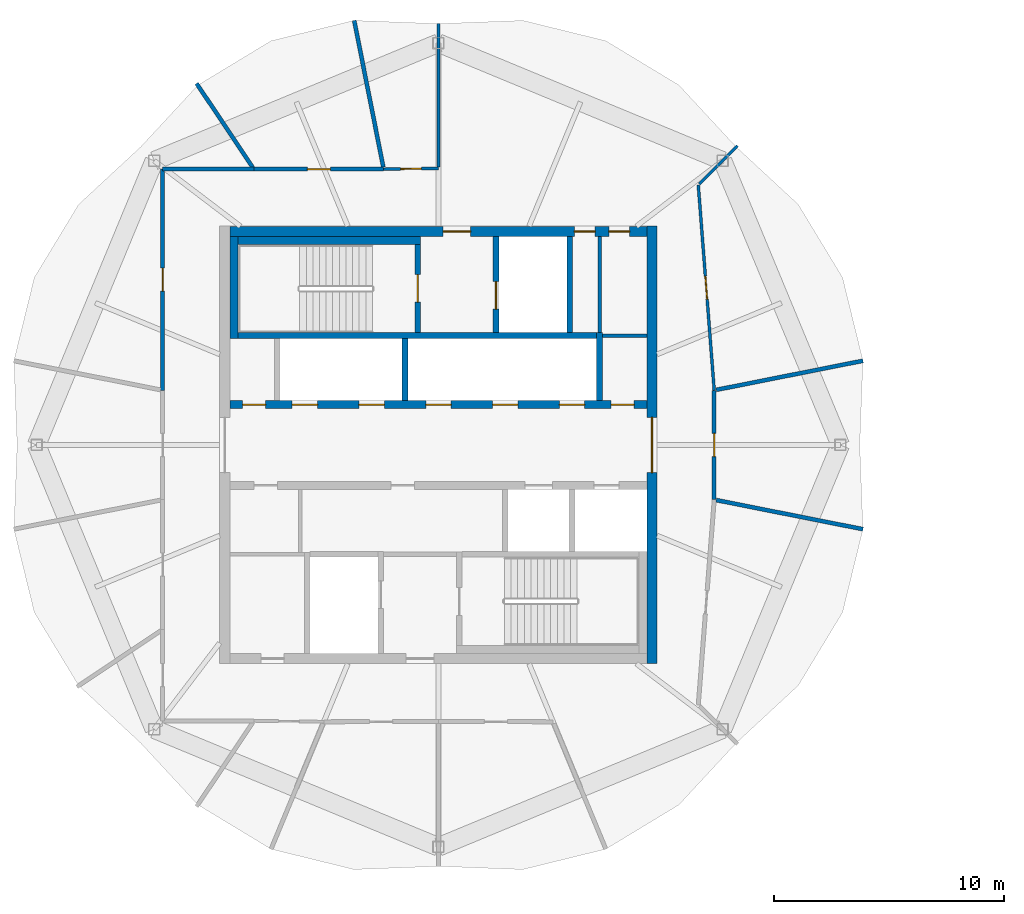
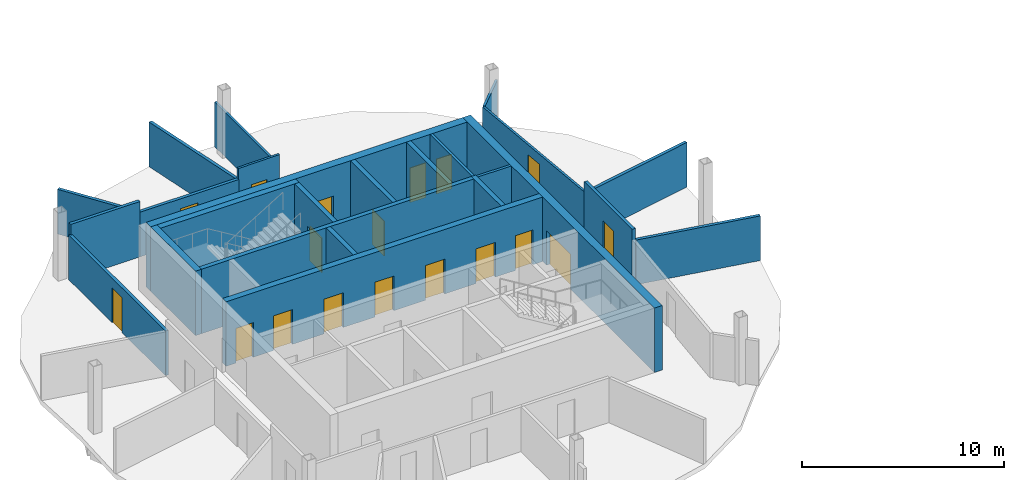
# One storey, part 6 of 11: 25 walls, 18 doors, 18 openings.
"""IFC4 building model written with IfcOpenShell, lengths in metres."""

import ifcopenshell
import ifcopenshell.guid

model = None  # the IFC model being written
_history = None  # IfcOwnerHistory: only IFC2X3 demands one
_inside = {}  # id of a spatial element -> (the spatial element, [elements in it])
_under = {}  # id of a project, library or spatial element -> (it, [spatial elements below it])
_declared = {}  # id of a project -> (the project, [libraries it declares])
_typed = {}  # id of a type object -> (the type object, [elements of that type])
_made_of = {}  # id of a material, layer set ... -> (it, [elements and type objects made of it])


def new_model(schema):
    """Start an empty IFC model of exactly this schema.

    Asked for "IFC4X3", IfcOpenShell would pick the latest addendum, in which some entities
    have other attributes; the version numbers below select the first issue.
    IFC2X3 requires an IfcOwnerHistory on every rooted entity: one is made here for all.
    """
    global model, _history
    if schema == "IFC4X3":
        model = ifcopenshell.file(schema_version=(4, 3, 0, 0))
    else:
        model = ifcopenshell.file(schema=schema)
    _inside.clear()
    _under.clear()
    _declared.clear()
    _typed.clear()
    _made_of.clear()
    _history = None
    if model.schema == "IFC2X3":
        org = make("IfcOrganization", Name="unknown")
        user = make(
            "IfcPersonAndOrganization",
            ThePerson=make("IfcPerson", FamilyName="unknown"),
            TheOrganization=org,
        )
        app = make(
            "IfcApplication",
            ApplicationDeveloper=org,
            Version="unknown",
            ApplicationFullName="unknown",
            ApplicationIdentifier="unknown",
        )
        _history = make(
            "IfcOwnerHistory",
            OwningUser=user,
            OwningApplication=app,
            ChangeAction="ADDED",
            CreationDate=0,
        )
    return model


def make(cls, **values):
    """One entity of the class cls with the attributes given. An attribute that is None is left unset."""
    return model.create_entity(
        cls, **{name: value for name, value in values.items() if value is not None}
    )


def rooted(cls, **values):
    """An entity with a GlobalId (a new one), such as an element, a storey or a relation."""
    return make(cls, GlobalId=ifcopenshell.guid.new(), OwnerHistory=_history, **values)


def si_unit(unit_type, name, prefix=None):
    """IfcSIUnit, for example si_unit("LENGTHUNIT", "METRE", prefix="MILLI")."""
    return make("IfcSIUnit", UnitType=unit_type, Prefix=prefix, Name=name)


def assignment(units):
    """IfcUnitAssignment: the units of a project."""
    return None if units is None else make("IfcUnitAssignment", Units=units)


def point(xyz):
    """IfcCartesianPoint."""
    return None if xyz is None else make("IfcCartesianPoint", Coordinates=xyz)


def direction(xyz):
    """IfcDirection."""
    return None if xyz is None else make("IfcDirection", DirectionRatios=xyz)


def frame(location, z_axis=None, x_axis=None):
    """IfcAxis2Placement3D, a coordinate frame: its origin and axes. An axis left out is left unset."""
    return make(
        "IfcAxis2Placement3D",
        Location=point(location),
        Axis=direction(z_axis),
        RefDirection=direction(x_axis),
    )


def frame_2d(location, x_axis=None):
    """IfcAxis2Placement2D, a coordinate frame in the plane: its origin and x axis."""
    return make(
        "IfcAxis2Placement2D", Location=point(location), RefDirection=direction(x_axis)
    )


def origin():
    """The frame at (0, 0, 0) with its axes left unset."""
    return frame((0.0, 0.0, 0.0))


def place(relative_to, where):
    """IfcLocalPlacement: puts the frame where relative to a parent placement (None: the world)."""
    return make(
        "IfcLocalPlacement", PlacementRelTo=relative_to, RelativePlacement=where
    )


def context(
    kind, dimensions, precision=None, world=None, true_north=None, identifier=None
):
    """IfcGeometricRepresentationContext, for example the 3D "Model" context."""
    return make(
        "IfcGeometricRepresentationContext",
        ContextIdentifier=identifier,
        ContextType=kind,
        CoordinateSpaceDimension=dimensions,
        Precision=precision,
        WorldCoordinateSystem=world,
        TrueNorth=true_north,
    )


def subcontext(parent, identifier, kind, view, scale=None):
    """IfcGeometricRepresentationSubContext, for example "Body" below "Model"."""
    return make(
        "IfcGeometricRepresentationSubContext",
        ContextIdentifier=identifier,
        ContextType=kind,
        ParentContext=parent,
        TargetScale=scale,
        TargetView=view,
    )


def project(units=None, contexts=None):
    """IfcProject with its units and contexts."""
    return rooted(
        "IfcProject",
        Name="project",
        RepresentationContexts=contexts,
        UnitsInContext=assignment(units),
    )


def spatial(cls, under=None, at=None, **own):
    """A site, building, storey or space (cls), placed at a placement, below another one or the project."""
    s = rooted(cls, ObjectPlacement=at, **own)
    if under is not None:
        _under.setdefault(under.id(), (under, []))[1].append(s)
    return s


def profile(cls, at=None, kind="AREA", **sizes):
    """A parametric profile (cls). Its sizes go by their IFC names, for example OverallWidth=200.0."""
    return make(cls, ProfileType=kind, Position=at, **sizes)


def rectangle(**sizes):
    """IfcRectangleProfileDef."""
    return profile("IfcRectangleProfileDef", **sizes)


def extrude(swept, where, along, depth):
    """IfcExtrudedAreaSolid: the profile swept, set in the frame where, extruded along a direction by depth."""
    return make(
        "IfcExtrudedAreaSolid",
        SweptArea=swept,
        Position=where,
        ExtrudedDirection=direction(along),
        Depth=depth,
    )


def shape(context_of_items, identifier, shape_type, items):
    """IfcShapeRepresentation: the items that make up one representation, for example the "Body"."""
    return make(
        "IfcShapeRepresentation",
        ContextOfItems=context_of_items,
        RepresentationIdentifier=identifier,
        RepresentationType=shape_type,
        Items=items,
    )


def material(Name=None, Category=None):
    """IfcMaterial."""
    return make("IfcMaterial", Name=Name, Category=Category)


def layer(
    of_material, thickness, ventilated=None, Name=None, Category=None, Priority=None
):
    """IfcMaterialLayer: one layer of a wall or slab, of a material (None: an air gap)."""
    return make(
        "IfcMaterialLayer",
        Material=of_material,
        LayerThickness=thickness,
        IsVentilated=ventilated,
        Name=Name,
        Category=Category,
        Priority=Priority,
    )


def layer_set(layers, Name=None):
    """IfcMaterialLayerSet."""
    return make("IfcMaterialLayerSet", MaterialLayers=layers, LayerSetName=Name)


def made_of(thing, what):
    """Note that an element or type object is made of a material, layer set ...; save() writes the relation."""
    if what is not None:
        _made_of.setdefault(what.id(), (what, []))[1].append(thing)
    return thing


def type_object(cls, material=None, **own):
    """A type object (cls), such as IfcWallType, which elements share."""
    return made_of(rooted(cls, **own), material)


def element(
    cls,
    number,
    at=None,
    inside=None,
    cuts=None,
    type_object=None,
    material=None,
    context=None,
    identifier="Body",
    shape_type=None,
    held_by="IfcProductDefinitionShape",
    body=None,
    shapes=None,
    **own,
):
    """One element of the class cls, such as IfcWall. Its Tag is "e" and its number.

    at: its placement. inside: the storey or other place that contains it. cuts: it is an
    opening in that element (IfcRelVoidsElement). A single representation is given by context,
    identifier, shape_type and body (its items); several are given by shapes. held_by: the class
    of the entity that holds the representations. save() writes the other relations.
    """
    e = rooted(cls, Tag="e%d" % number, ObjectPlacement=at, **own)
    if body is not None:
        shapes = [shape(context, identifier, shape_type, body)]
    if shapes is not None:
        e.Representation = make(held_by, Representations=shapes)
    if inside is not None:
        _inside.setdefault(inside.id(), (inside, []))[1].append(e)
    if cuts is not None:
        rooted(
            "IfcRelVoidsElement", RelatingBuildingElement=cuts, RelatedOpeningElement=e
        )
    if type_object is not None:
        _typed.setdefault(type_object.id(), (type_object, []))[1].append(e)
    return made_of(e, material)


def fill(opening, filler):
    """IfcRelFillsElement: the door or window that sits in an opening."""
    return rooted(
        "IfcRelFillsElement",
        RelatingOpeningElement=opening,
        RelatedBuildingElement=filler,
    )


def aggregate(whole, parts):
    """IfcRelAggregates: a whole, such as a stair, and the parts it consists of."""
    return rooted("IfcRelAggregates", RelatingObject=whole, RelatedObjects=parts)


def save(model, path):
    """Write the relations noted so far, then the file.

    IfcRelAggregates (storeys below a building ...), IfcRelContainedInSpatialStructure (elements
    in a storey), IfcRelDefinesByType, IfcRelAssociatesMaterial and IfcRelDeclares: one each for
    every whole, place, type object, material and project.
    """
    for whole, parts in _under.values():
        aggregate(whole, parts)
    for where, things in _inside.values():
        rooted(
            "IfcRelContainedInSpatialStructure",
            RelatedElements=things,
            RelatingStructure=where,
        )
    for kind, things in _typed.values():
        rooted("IfcRelDefinesByType", RelatedObjects=things, RelatingType=kind)
    for what, things in _made_of.values():
        rooted("IfcRelAssociatesMaterial", RelatedObjects=things, RelatingMaterial=what)
    for by, libraries in _declared.values():
        rooted("IfcRelDeclares", RelatingContext=by, RelatedDefinitions=libraries)
    model.write(path)


model = new_model("IFC4")

# Units and contexts
model_context = context("Model", 3, precision=1e-05, world=origin(), true_north=direction((0.0, 1.0)))
body_context = subcontext(model_context, "Body", "Model", "MODEL_VIEW")
ifc_project = project(units=[si_unit("LENGTHUNIT", "METRE"), si_unit("AREAUNIT", "SQUARE_METRE"), si_unit("VOLUMEUNIT", "CUBIC_METRE"), si_unit("PLANEANGLEUNIT", "RADIAN"), si_unit("MASSUNIT", "GRAM", prefix="KILO")], contexts=[model_context])

# Site, building, storey
site_placement = place(None, origin())
site = spatial("IfcSite", under=ifc_project, at=site_placement, CompositionType="ELEMENT")
building_placement = place(site_placement, origin())
building = spatial("IfcBuilding", under=site, at=building_placement, Name="Ogive Gate Towers", CompositionType="ELEMENT")
storey_placement = place(building_placement, frame((0.0, 0.0, 289.800048828125)))
storey = spatial("IfcBuildingStorey", under=building, at=storey_placement, Name="L68", CompositionType="ELEMENT", Elevation=289.800048828125)

# Walls
ifc_material_1 = material(Name="Gypsum board acoustic partition")
ifc_layer_1 = layer(ifc_material_1, 0.175048828125)
ifc_layer_set_1 = layer_set([ifc_layer_1], Name="Acoustic partition 175")
wall_type_1 = type_object("IfcWallType", Name="Acoustic partition 175", PredefinedType="PARTITIONING", material=ifc_layer_set_1)
for number, where, z_axis, x_axis, name in (
    (1, (-17.559814453125, 3.658203125, 0.0), (0.0, 0.0, 1.0), (-0.980884237162, -0.1945921717, 0.0), "Partition T1-L68-001"),
    (2, (-39.658203125, 18.440185546875, 0.0), (0.0, 0.0, 1.0), (0.1945921717, -0.980884237162, 0.0), "Partition T1-L68-004"),
):
    element("IfcWall", number, at=place(storey_placement, frame(where, z_axis=z_axis, x_axis=x_axis)), inside=storey, type_object=wall_type_1, Name=name, PredefinedType="PARTITIONING", context=body_context, shape_type="SweptSolid", body=[
        extrude(rectangle(XDim=6.50146484375, YDim=0.175048828125, at=frame_2d((3.250732421875, 0.0))), origin(), (0.0, 0.0, 1.0), 2.699951171875),
    ])
wall_1_placement = place(storey_placement, frame((-46.502197265625, 15.700439453125, 0.0), z_axis=(0.0, 0.0, 1.0), x_axis=(0.555982573444, -0.831193947299, 0.0)))
element("IfcWall", 3, at=wall_1_placement, inside=storey, type_object=wall_type_1, Name="Partition T1-L68-005", PredefinedType="PARTITIONING", context=body_context, shape_type="SweptSolid", body=[
    extrude(rectangle(XDim=4.39111328125, YDim=0.175048828125, at=frame_2d((2.195556640625, 0.0))), origin(), (0.0, 0.0, 1.0), 2.699951171875),
])
wall_2_placement = place(storey_placement, frame((-17.559814453125, -3.658203125, 0.0), z_axis=(0.0, 0.0, 1.0), x_axis=(-0.980884237162, 0.1945921717, 0.0)))
element("IfcWall", 4, at=wall_2_placement, inside=storey, type_object=wall_type_1, Name="Partition T1-L68-014", PredefinedType="PARTITIONING", context=body_context, shape_type="SweptSolid", body=[
    extrude(rectangle(XDim=6.50146484375, YDim=0.175048828125, at=frame_2d((3.250732421875, 0.0))), origin(), (0.0, 0.0, 1.0), 2.699951171875),
])

# Wall, opening, door
wall_3_placement = place(storey_placement, frame((-24.02294921875, -2.376220703125, 0.0), z_axis=(0.0, 0.0, 1.0), x_axis=(0.0, 1.0, 0.0)))
wall_3 = element("IfcWall", 5, at=wall_3_placement, inside=storey, type_object=wall_type_1, Name="Partition T1-L68-019", PredefinedType="PARTITIONING", context=body_context, shape_type="SweptSolid", body=[
    extrude(rectangle(XDim=4.75244140625, YDim=0.175048828125, at=frame_2d((2.376220703125, 0.0))), origin(), (0.0, 0.0, 1.0), 3.349853515625),
])
opening_1_placement = place(wall_3_placement, frame((1.8759765625, 0.0, 0.0)))
opening_1 = element("IfcOpeningElement", 6, at=opening_1_placement, cuts=wall_3, Name="Opening T1-L68-D05", PredefinedType="OPENING", context=body_context, shape_type="SweptSolid", body=[
    extrude(rectangle(XDim=1.0, YDim=2.10009765625, at=frame_2d((0.5, 1.050048828125))), frame((0.0, 0.09765625, 0.0), z_axis=(0.0, -1.0, 0.0), x_axis=(1.0, 0.0, 0.0)), (0.0, 0.0, 1.0), 0.195068359375),
])
ifc_material_2 = material(Name="Timber door", Category="wood")
door_type_1 = type_object("IfcDoorType", Name="Door 1000", OperationType="NOTDEFINED", PredefinedType="DOOR", material=ifc_material_2)
door_1_placement = place(opening_1_placement, origin())
door_1 = element("IfcDoor", 7, at=door_1_placement, inside=storey, type_object=door_type_1, Name="Door T1-L68-D05", OperationType="SINGLE_SWING_LEFT", OverallHeight=2.10009765625, OverallWidth=1.0, PredefinedType="DOOR", context=body_context, shape_type="SweptSolid", body=[
    extrude(rectangle(XDim=1.0, YDim=2.10009765625, at=frame_2d((0.5, 1.050048828125))), frame((0.0, 0.02490234375, 0.0), z_axis=(0.0, -1.0, 0.0), x_axis=(1.0, 0.0, 0.0)), (0.0, 0.0, 1.0), 0.050048828125),
])
fill(opening_1, door_1)

wall_4_placement = place(storey_placement, frame((-38.376220703125, 11.97705078125, 0.0), z_axis=(0.0, 0.0, 1.0), x_axis=(-0.999999991556, 0.000129954515, 0.0)))
wall_4 = element("IfcWall", 8, at=wall_4_placement, inside=storey, type_object=wall_type_1, Name="Partition T1-L68-022", PredefinedType="PARTITIONING", context=body_context, shape_type="SweptSolid", body=[
    extrude(rectangle(XDim=5.635986328125, YDim=0.175048828125, at=frame_2d((2.81787109375, 0.0))), origin(), (0.0, 0.0, 1.0), 2.699951171875),
])
opening_2_placement = place(wall_4_placement, frame((2.318115234375, 0.0, 0.0)))
opening_2 = element("IfcOpeningElement", 9, at=opening_2_placement, cuts=wall_4, Name="Opening T1-L68-D08", PredefinedType="OPENING", context=body_context, shape_type="SweptSolid", body=[
    extrude(rectangle(XDim=1.0, YDim=2.10009765625, at=frame_2d((0.5, 1.050048828125))), frame((0.0, 0.09765625, 0.0), z_axis=(0.0, -1.0, 0.0), x_axis=(1.0, 0.0, 0.0)), (0.0, 0.0, 1.0), 0.195068359375),
])
door_2_placement = place(opening_2_placement, origin())
door_2 = element("IfcDoor", 10, at=door_2_placement, inside=storey, type_object=door_type_1, Name="Door T1-L68-D08", OperationType="SINGLE_SWING_RIGHT", OverallHeight=2.10009765625, OverallWidth=1.0, PredefinedType="DOOR", context=body_context, shape_type="SweptSolid", body=[
    extrude(rectangle(XDim=1.0, YDim=2.10009765625, at=frame_2d((0.5, 1.050048828125))), frame((0.0, 0.02490234375, 0.0), z_axis=(0.0, -1.0, 0.0), x_axis=(1.0, 0.0, 0.0)), (0.0, 0.0, 1.0), 0.050048828125),
])
fill(opening_2, door_2)

wall_5_placement = place(storey_placement, frame((-47.97998046875, 11.97998046875, 0.0), z_axis=(0.0, 0.0, 1.0), x_axis=(0.000305056294, -0.99999995347, 0.0)))
wall_5 = element("IfcWall", 11, at=wall_5_placement, inside=storey, type_object=wall_type_1, Name="Partition T1-L68-023", PredefinedType="PARTITIONING", context=body_context, shape_type="SweptSolid", body=[
    extrude(rectangle(XDim=9.603759765625, YDim=0.175048828125, at=frame_2d((4.8017578125, 0.0))), origin(), (0.0, 0.0, 1.0), 2.699951171875),
])
opening_3_placement = place(wall_5_placement, frame((4.302001953125, 0.0, 0.0)))
opening_3 = element("IfcOpeningElement", 12, at=opening_3_placement, cuts=wall_5, Name="Opening T1-L68-D09", PredefinedType="OPENING", context=body_context, shape_type="SweptSolid", body=[
    extrude(rectangle(XDim=1.0, YDim=2.10009765625, at=frame_2d((0.5, 1.050048828125))), frame((0.0, 0.09765625, 0.0), z_axis=(0.0, -1.0, 0.0), x_axis=(1.0, 0.0, 0.0)), (0.0, 0.0, 1.0), 0.195068359375),
])
door_3_placement = place(opening_3_placement, origin())
door_3 = element("IfcDoor", 13, at=door_3_placement, inside=storey, type_object=door_type_1, Name="Door T1-L68-D09", OperationType="SINGLE_SWING_LEFT", OverallHeight=2.10009765625, OverallWidth=1.0, PredefinedType="DOOR", context=body_context, shape_type="SweptSolid", body=[
    extrude(rectangle(XDim=1.0, YDim=2.10009765625, at=frame_2d((0.5, 1.050048828125))), frame((0.0, 0.02490234375, 0.0), z_axis=(0.0, -1.0, 0.0), x_axis=(1.0, 0.0, 0.0)), (0.0, 0.0, 1.0), 0.050048828125),
])
fill(opening_3, door_3)

# Wall
wall_6_placement = place(storey_placement, frame((-44.01220703125, 11.977783203125, 0.0), z_axis=(0.0, 0.0, 1.0), x_axis=(-0.999999846665, 0.000553777912, 0.0)))
element("IfcWall", 14, at=wall_6_placement, inside=storey, type_object=wall_type_1, Name="Partition T1-L68-024", PredefinedType="PARTITIONING", context=body_context, shape_type="SweptSolid", body=[
    extrude(rectangle(XDim=3.9677734375, YDim=0.175048828125, at=frame_2d((1.98388671875, 0.0))), origin(), (0.0, 0.0, 1.0), 3.349853515625),
])

# Wall, openings, doors
ifc_material_3 = material(Name="Concrete C60/75", Category="concrete")
ifc_layer_2 = layer(ifc_material_3, 0.449951171875)
ifc_layer_set_2 = layer_set([ifc_layer_2], Name="Core wall 450 mm")
wall_type_2 = type_object("IfcWallType", Name="Core wall 450 mm", PredefinedType="SHEAR", material=ifc_layer_set_2)
wall_7_placement = place(storey_placement, frame((-45.050048828125, 9.27490234375, 0.0), z_axis=(0.0, 0.0, 1.0), x_axis=(1.0, 0.0, 0.0)))
wall_7 = element("IfcWall", 15, at=wall_7_placement, inside=storey, type_object=wall_type_2, Name="T1 L68 Core wall 450 mm", PredefinedType="SHEAR", context=body_context, shape_type="SweptSolid", body=[
    extrude(rectangle(XDim=18.10009765625, YDim=0.449951171875, at=frame_2d((9.050048828125, 0.0))), origin(), (0.0, 0.0, 1.0), 3.89990234375),
])
opening_4_placement = place(wall_7_placement, frame((9.25, 0.0, 0.0)))
opening_4 = element("IfcOpeningElement", 16, at=opening_4_placement, cuts=wall_7, Name="Opening KD-T1-L68-18", PredefinedType="OPENING", context=body_context, shape_type="SweptSolid", body=[
    extrude(rectangle(XDim=1.199951171875, YDim=2.10009765625, at=frame_2d((0.60009765625, 1.050048828125))), frame((0.0, 0.23486328125, 0.0), z_axis=(0.0, -1.0, 0.0), x_axis=(1.0, 0.0, 0.0)), (0.0, 0.0, 1.0), 0.469970703125),
])
opening_5_placement = place(wall_7_placement, frame((14.949951171875, 0.0, 0.0)))
opening_5 = element("IfcOpeningElement", 17, at=opening_5_placement, cuts=wall_7, Name="Opening KD-T1-L68-20", PredefinedType="OPENING", context=body_context, shape_type="SweptSolid", body=[
    extrude(rectangle(XDim=0.89990234375, YDim=2.10009765625, at=frame_2d((0.449951171875, 1.050048828125))), frame((0.0, 0.23486328125, 0.0), z_axis=(0.0, -1.0, 0.0), x_axis=(1.0, 0.0, 0.0)), (0.0, 0.0, 1.0), 0.469970703125),
])
opening_6_placement = place(wall_7_placement, frame((16.449951171875, 0.0, 0.0)))
opening_6 = element("IfcOpeningElement", 18, at=opening_6_placement, cuts=wall_7, Name="Opening KD-T1-L68-21", PredefinedType="OPENING", context=body_context, shape_type="SweptSolid", body=[
    extrude(rectangle(XDim=0.89990234375, YDim=2.10009765625, at=frame_2d((0.449951171875, 1.050048828125))), frame((0.0, 0.23486328125, 0.0), z_axis=(0.0, -1.0, 0.0), x_axis=(1.0, 0.0, 0.0)), (0.0, 0.0, 1.0), 0.469970703125),
])
door_type_2 = type_object("IfcDoorType", Name="Core WC door 900 x 2100", OperationType="NOTDEFINED", PredefinedType="DOOR", material=ifc_material_2)
door_4_placement = place(opening_5_placement, origin())
door_4 = element("IfcDoor", 19, at=door_4_placement, inside=storey, type_object=door_type_2, Name="T1 L68 Core door", OperationType="SINGLE_SWING_LEFT", OverallHeight=2.10009765625, OverallWidth=0.89990234375, PredefinedType="DOOR", context=body_context, shape_type="SweptSolid", body=[
    extrude(rectangle(XDim=0.89990234375, YDim=2.10009765625, at=frame_2d((0.449951171875, 1.050048828125))), frame((0.0, 0.02490234375, 0.0), z_axis=(0.0, -1.0, 0.0), x_axis=(1.0, 0.0, 0.0)), (0.0, 0.0, 1.0), 0.050048828125),
])
fill(opening_5, door_4)
door_5_placement = place(opening_6_placement, origin())
door_5 = element("IfcDoor", 20, at=door_5_placement, inside=storey, type_object=door_type_2, Name="T1 L68 Core door", OperationType="SINGLE_SWING_RIGHT", OverallHeight=2.10009765625, OverallWidth=0.89990234375, PredefinedType="DOOR", context=body_context, shape_type="SweptSolid", body=[
    extrude(rectangle(XDim=0.89990234375, YDim=2.10009765625, at=frame_2d((0.449951171875, 1.050048828125))), frame((0.0, 0.02490234375, 0.0), z_axis=(0.0, -1.0, 0.0), x_axis=(1.0, 0.0, 0.0)), (0.0, 0.0, 1.0), 0.050048828125),
])
fill(opening_6, door_5)
ifc_material_4 = material(Name="Steel fire door", Category="steel")
door_type_3 = type_object("IfcDoorType", Name="Core door FD60S 1200 x 2100", OperationType="NOTDEFINED", PredefinedType="DOOR", material=ifc_material_4)
door_6_placement = place(opening_4_placement, origin())
door_6 = element("IfcDoor", 21, at=door_6_placement, inside=storey, type_object=door_type_3, Name="T1 L68 Fire-fighting lobby door", OperationType="SINGLE_SWING_LEFT", OverallHeight=2.10009765625, OverallWidth=1.199951171875, PredefinedType="DOOR", context=body_context, shape_type="SweptSolid", body=[
    extrude(rectangle(XDim=1.199951171875, YDim=2.10009765625, at=frame_2d((0.60009765625, 1.050048828125))), frame((0.0, 0.02490234375, 0.0), z_axis=(0.0, -1.0, 0.0), x_axis=(1.0, 0.0, 0.0)), (0.0, 0.0, 1.0), 0.050048828125),
])
fill(opening_4, door_6)

# Wall, opening, door
wall_8_placement = place(storey_placement, frame((-26.72509765625, -9.5, 0.0), z_axis=(0.0, 0.0, 1.0), x_axis=(0.0, 1.0, 0.0)))
wall_8 = element("IfcWall", 22, at=wall_8_placement, inside=storey, type_object=wall_type_2, Name="T1 L68 Core wall 450 mm", PredefinedType="SHEAR", context=body_context, shape_type="SweptSolid", body=[
    extrude(rectangle(XDim=19.0, YDim=0.449951171875, at=frame_2d((9.5, 0.0))), origin(), (0.0, 0.0, 1.0), 3.89990234375),
])
opening_7_placement = place(wall_8_placement, frame((8.300048828125, 0.0, 0.0)))
opening_7 = element("IfcOpeningElement", 23, at=opening_7_placement, cuts=wall_8, Name="Opening KD-T1-L68-02", PredefinedType="OPENING", context=body_context, shape_type="SweptSolid", body=[
    extrude(rectangle(XDim=2.39990234375, YDim=2.10009765625, at=frame_2d((1.199951171875, 1.050048828125))), frame((0.0, 0.23486328125, 0.0), z_axis=(0.0, -1.0, 0.0), x_axis=(1.0, 0.0, 0.0)), (0.0, 0.0, 1.0), 0.469970703125),
])
door_type_4 = type_object("IfcDoorType", Name="Core double door FD60S 2400 x 2100", OperationType="DOUBLE_DOOR_SINGLE_SWING", PredefinedType="DOOR", material=ifc_material_4)
door_7_placement = place(opening_7_placement, origin())
door_7 = element("IfcDoor", 24, at=door_7_placement, inside=storey, type_object=door_type_4, Name="T1 L68 Core door double", OperationType="DOUBLE_DOOR_SINGLE_SWING", OverallHeight=2.10009765625, OverallWidth=2.39990234375, PredefinedType="DOOR", context=body_context, shape_type="SweptSolid", body=[
    extrude(rectangle(XDim=2.39990234375, YDim=2.10009765625, at=frame_2d((1.199951171875, 1.050048828125))), frame((0.0, 0.02490234375, 0.0), z_axis=(0.0, -1.0, 0.0), x_axis=(1.0, 0.0, 0.0)), (0.0, 0.0, 1.0), 0.050048828125),
])
fill(opening_7, door_7)

# Walls
ifc_material_5 = material(Name="Gypsum board partition")
ifc_layer_3 = layer(ifc_material_5, 0.125)
ifc_layer_set_3 = layer_set([ifc_layer_3], Name="Partition 125")
wall_type_3 = type_object("IfcWallType", Name="Partition 125", PredefinedType="PARTITIONING", material=ifc_layer_set_3)
wall_9_placement = place(storey_placement, frame((-23.005126953125, 12.994873046875, 0.0), z_axis=(0.0, 0.0, 1.0), x_axis=(-0.707106781187, -0.707106781187, 0.0)))
element("IfcWall", 25, at=wall_9_placement, inside=storey, type_object=wall_type_3, Name="Partition T1-L68-002", PredefinedType="PARTITIONING", context=body_context, shape_type="SweptSolid", body=[
    extrude(rectangle(XDim=2.35498046875, YDim=0.125, at=frame_2d((1.177490234375, 0.0))), origin(), (0.0, 0.0, 1.0), 2.699951171875),
])
wall_10_placement = place(storey_placement, frame((-36.0, 18.299072265625, 0.0), z_axis=(0.0, 0.0, 1.0), x_axis=(0.0, -1.0, 0.0)))
element("IfcWall", 26, at=wall_10_placement, inside=storey, type_object=wall_type_3, Name="Partition T1-L68-003", PredefinedType="PARTITIONING", context=body_context, shape_type="SweptSolid", body=[
    extrude(rectangle(XDim=6.2265625, YDim=0.125, at=frame_2d((3.11328125, 0.0))), origin(), (0.0, 0.0, 1.0), 2.699951171875),
])

# Wall, opening, door
wall_11_placement = place(storey_placement, frame((-24.02294921875, 2.376220703125, 0.0), z_axis=(0.0, 0.0, 1.0), x_axis=(-0.077400559518, 0.997000076924, 0.0)))
wall_11 = element("IfcWall", 27, at=wall_11_placement, inside=storey, type_object=wall_type_3, Name="Partition T1-L68-020", PredefinedType="PARTITIONING", context=body_context, shape_type="SweptSolid", body=[
    extrude(rectangle(XDim=8.93603515625, YDim=0.125, at=frame_2d((4.468017578125, 0.0))), origin(), (0.0, 0.0, 1.0), 2.699951171875),
])
opening_8_placement = place(wall_11_placement, frame((3.968017578125, 0.0, 0.0)))
opening_8 = element("IfcOpeningElement", 28, at=opening_8_placement, cuts=wall_11, Name="Opening T1-L68-D06", PredefinedType="OPENING", context=body_context, shape_type="SweptSolid", body=[
    extrude(rectangle(XDim=1.0, YDim=2.10009765625, at=frame_2d((0.5, 1.050048828125))), frame((0.0, 0.072509765625, 0.0), z_axis=(0.0, -1.0, 0.0), x_axis=(1.0, 0.0, 0.0)), (0.0, 0.0, 1.0), 0.14501953125),
])
door_8_placement = place(opening_8_placement, origin())
door_8 = element("IfcDoor", 29, at=door_8_placement, inside=storey, type_object=door_type_1, Name="Door T1-L68-D06", OperationType="SINGLE_SWING_LEFT", OverallHeight=2.10009765625, OverallWidth=1.0, PredefinedType="DOOR", context=body_context, shape_type="SweptSolid", body=[
    extrude(rectangle(XDim=1.0, YDim=2.10009765625, at=frame_2d((0.5, 1.050048828125))), frame((0.0, 0.02490234375, 0.0), z_axis=(0.0, -1.0, 0.0), x_axis=(1.0, 0.0, 0.0)), (0.0, 0.0, 1.0), 0.050048828125),
])
fill(opening_8, door_8)

wall_12_placement = place(storey_placement, frame((-36.0, 12.010009765625, 0.0), z_axis=(0.0, 0.0, 1.0), x_axis=(-0.999903820739, -0.013869003986, 0.0)))
wall_12 = element("IfcWall", 30, at=wall_12_placement, inside=storey, type_object=wall_type_3, Name="Partition T1-L68-021", PredefinedType="PARTITIONING", context=body_context, shape_type="SweptSolid", body=[
    extrude(rectangle(XDim=2.37646484375, YDim=0.125, at=frame_2d((1.188232421875, 0.0))), origin(), (0.0, 0.0, 1.0), 3.349853515625),
])
opening_9_placement = place(wall_12_placement, frame((0.738037109375, 0.0, 0.0)))
opening_9 = element("IfcOpeningElement", 31, at=opening_9_placement, cuts=wall_12, Name="Opening T1-L68-D07", PredefinedType="OPENING", context=body_context, shape_type="SweptSolid", body=[
    extrude(rectangle(XDim=0.89990234375, YDim=2.10009765625, at=frame_2d((0.449951171875, 1.050048828125))), frame((0.0, 0.072509765625, 0.0), z_axis=(0.0, -1.0, 0.0), x_axis=(1.0, 0.0, 0.0)), (0.0, 0.0, 1.0), 0.14501953125),
])
door_type_5 = type_object("IfcDoorType", Name="Door 900", OperationType="NOTDEFINED", PredefinedType="DOOR", material=ifc_material_2)
door_9_placement = place(opening_9_placement, origin())
door_9 = element("IfcDoor", 32, at=door_9_placement, inside=storey, type_object=door_type_5, Name="Door T1-L68-D07", OperationType="SINGLE_SWING_RIGHT", OverallHeight=2.10009765625, OverallWidth=0.89990234375, PredefinedType="DOOR", context=body_context, shape_type="SweptSolid", body=[
    extrude(rectangle(XDim=0.89990234375, YDim=2.10009765625, at=frame_2d((0.449951171875, 1.050048828125))), frame((0.0, 0.02490234375, 0.0), z_axis=(0.0, -1.0, 0.0), x_axis=(1.0, 0.0, 0.0)), (0.0, 0.0, 1.0), 0.050048828125),
])
fill(opening_9, door_9)

# Walls
ifc_layer_4 = layer(ifc_material_5, 0.14990234375)
ifc_layer_set_4 = layer_set([ifc_layer_4], Name="Room partition 150 mm")
wall_type_4 = type_object("IfcWallType", Name="Room partition 150 mm", PredefinedType="PARTITIONING", material=ifc_layer_set_4)
wall_13_placement = place(storey_placement, frame((-28.875, 4.75, 0.0), z_axis=(0.0, 0.0, 1.0), x_axis=(1.0, 0.0, 0.0)))
element("IfcWall", 33, at=wall_13_placement, inside=storey, type_object=wall_type_4, Name="T1 L68 Room partition 150 mm", PredefinedType="PARTITIONING", context=body_context, shape_type="SweptSolid", body=[
    extrude(rectangle(XDim=1.925048828125, YDim=0.14990234375, at=frame_2d((0.96240234375, 0.0))), origin(), (0.0, 0.0, 1.0), 3.89990234375),
])
wall_14_placement = place(storey_placement, frame((-29.0, 4.875, 0.0), z_axis=(0.0, 0.0, 1.0), x_axis=(0.0, 1.0, 0.0)))
element("IfcWall", 34, at=wall_14_placement, inside=storey, type_object=wall_type_4, Name="T1 L68 Room partition 150 mm", PredefinedType="PARTITIONING", context=body_context, shape_type="SweptSolid", body=[
    extrude(rectangle(XDim=4.175048828125, YDim=0.14990234375, at=frame_2d((2.08740234375, 0.0))), origin(), (0.0, 0.0, 1.0), 3.89990234375),
])
ifc_layer_5 = layer(ifc_material_3, 0.25)
ifc_layer_set_5 = layer_set([ifc_layer_5], Name="Shaft wall 250 mm")
wall_type_5 = type_object("IfcWallType", Name="Shaft wall 250 mm", PredefinedType="SHEAR", material=ifc_layer_set_5)
wall_15_placement = place(storey_placement, frame((-44.699951171875, 4.75, 0.0), z_axis=(0.0, 0.0, 1.0), x_axis=(1.0, 0.0, 0.0)))
element("IfcWall", 35, at=wall_15_placement, inside=storey, type_object=wall_type_5, Name="T1 L68 Shaft wall 250 mm", PredefinedType="SHEAR", context=body_context, shape_type="SweptSolid", body=[
    extrude(rectangle(XDim=15.574951171875, YDim=0.25, at=frame_2d((7.78759765625, 0.0))), origin(), (0.0, 0.0, 1.0), 3.89990234375),
])
wall_16_placement = place(storey_placement, frame((-37.449951171875, 1.925048828125, 0.0), z_axis=(0.0, 0.0, 1.0), x_axis=(0.0, 1.0, 0.0)))
element("IfcWall", 36, at=wall_16_placement, inside=storey, type_object=wall_type_5, Name="T1 L68 Shaft wall 250 mm", PredefinedType="SHEAR", context=body_context, shape_type="SweptSolid", body=[
    extrude(rectangle(XDim=2.699951171875, YDim=0.25, at=frame_2d((1.35009765625, 0.0))), origin(), (0.0, 0.0, 1.0), 3.89990234375),
])

# Wall, opening, door
wall_17_placement = place(storey_placement, frame((-36.89990234375, 4.875, 0.0), z_axis=(0.0, 0.0, 1.0), x_axis=(0.0, 1.0, 0.0)))
wall_17 = element("IfcWall", 37, at=wall_17_placement, inside=storey, type_object=wall_type_5, Name="T1 L68 Shaft wall 250 mm", PredefinedType="SHEAR", context=body_context, shape_type="SweptSolid", body=[
    extrude(rectangle(XDim=3.824951171875, YDim=0.25, at=frame_2d((1.91259765625, 0.0))), origin(), (0.0, 0.0, 1.0), 3.89990234375),
])
opening_10_placement = place(wall_17_placement, frame((1.324951171875, 0.0, 0.0)))
opening_10 = element("IfcOpeningElement", 38, at=opening_10_placement, cuts=wall_17, Name="Opening KD-T1-L68-16", PredefinedType="OPENING", context=body_context, shape_type="SweptSolid", body=[
    extrude(rectangle(XDim=1.199951171875, YDim=2.10009765625, at=frame_2d((0.60009765625, 1.050048828125))), frame((0.0, 0.135009765625, 0.0), z_axis=(0.0, -1.0, 0.0), x_axis=(1.0, 0.0, 0.0)), (0.0, 0.0, 1.0), 0.27001953125),
])
door_10_placement = place(opening_10_placement, origin())
door_10 = element("IfcDoor", 39, at=door_10_placement, inside=storey, type_object=door_type_3, Name="T1 L68 Stair door", OperationType="SINGLE_SWING_LEFT", OverallHeight=2.10009765625, OverallWidth=1.199951171875, PredefinedType="DOOR", context=body_context, shape_type="SweptSolid", body=[
    extrude(rectangle(XDim=1.199951171875, YDim=2.10009765625, at=frame_2d((0.60009765625, 1.050048828125))), frame((0.0, 0.02490234375, 0.0), z_axis=(0.0, -1.0, 0.0), x_axis=(1.0, 0.0, 0.0)), (0.0, 0.0, 1.0), 0.050048828125),
])
fill(opening_10, door_10)

wall_18_placement = place(storey_placement, frame((-33.5, 4.875, 0.0), z_axis=(0.0, 0.0, 1.0), x_axis=(0.0, 1.0, 0.0)))
wall_18 = element("IfcWall", 40, at=wall_18_placement, inside=storey, type_object=wall_type_5, Name="T1 L68 Shaft wall 250 mm", PredefinedType="SHEAR", context=body_context, shape_type="SweptSolid", body=[
    extrude(rectangle(XDim=4.175048828125, YDim=0.25, at=frame_2d((2.08740234375, 0.0))), origin(), (0.0, 0.0, 1.0), 3.89990234375),
])
opening_11_placement = place(wall_18_placement, frame((1.02490234375, 0.0, 0.0)))
opening_11 = element("IfcOpeningElement", 41, at=opening_11_placement, cuts=wall_18, Name="Opening LD-T1-L68-12", PredefinedType="OPENING", context=body_context, shape_type="SweptSolid", body=[
    extrude(rectangle(XDim=1.199951171875, YDim=2.10009765625, at=frame_2d((0.60009765625, 1.050048828125))), frame((0.0, 0.135009765625, 0.0), z_axis=(0.0, -1.0, 0.0), x_axis=(1.0, 0.0, 0.0)), (0.0, 0.0, 1.0), 0.27001953125),
])
ifc_material_6 = material(Name="Stainless steel landing door", Category="steel")
door_type_6 = type_object("IfcDoorType", Name="Landing door 1200 x 2100", OperationType="SLIDING_TO_LEFT", PredefinedType="DOOR", material=ifc_material_6)
door_11_placement = place(opening_11_placement, origin())
door_11 = element("IfcDoor", 42, at=door_11_placement, inside=storey, type_object=door_type_6, Name="T1 L68 Lift landing door FF1", OperationType="SLIDING_TO_LEFT", OverallHeight=2.10009765625, OverallWidth=1.199951171875, PredefinedType="DOOR", context=body_context, shape_type="SweptSolid", body=[
    extrude(rectangle(XDim=1.199951171875, YDim=2.10009765625, at=frame_2d((0.60009765625, 1.050048828125))), frame((0.0, 0.02490234375, 0.0), z_axis=(0.0, -1.0, 0.0), x_axis=(1.0, 0.0, 0.0)), (0.0, 0.0, 1.0), 0.050048828125),
])
fill(opening_11, door_11)

# Walls
wall_19_placement = place(storey_placement, frame((-30.300048828125, 4.875, 0.0), z_axis=(0.0, 0.0, 1.0), x_axis=(0.0, 1.0, 0.0)))
element("IfcWall", 43, at=wall_19_placement, inside=storey, type_object=wall_type_5, Name="T1 L68 Shaft wall 250 mm", PredefinedType="SHEAR", context=body_context, shape_type="SweptSolid", body=[
    extrude(rectangle(XDim=4.175048828125, YDim=0.25, at=frame_2d((2.08740234375, 0.0))), origin(), (0.0, 0.0, 1.0), 3.89990234375),
])
wall_20_placement = place(storey_placement, frame((-29.0, 1.925048828125, 0.0), z_axis=(0.0, 0.0, 1.0), x_axis=(0.0, 1.0, 0.0)))
element("IfcWall", 44, at=wall_20_placement, inside=storey, type_object=wall_type_5, Name="T1 L68 Shaft wall 250 mm", PredefinedType="SHEAR", context=body_context, shape_type="SweptSolid", body=[
    extrude(rectangle(XDim=2.949951171875, YDim=0.25, at=frame_2d((1.47509765625, 0.0))), origin(), (0.0, 0.0, 1.0), 3.89990234375),
])

# Wall, openings, doors
ifc_layer_6 = layer(ifc_material_3, 0.35009765625)
ifc_layer_set_6 = layer_set([ifc_layer_6], Name="Spine wall 350 mm")
wall_type_6 = type_object("IfcWallType", Name="Spine wall 350 mm", PredefinedType="SHEAR", material=ifc_layer_set_6)
wall_21_placement = place(storey_placement, frame((-45.050048828125, 1.75, 0.0), z_axis=(0.0, 0.0, 1.0), x_axis=(1.0, 0.0, 0.0)))
wall_21 = element("IfcWall", 45, at=wall_21_placement, inside=storey, type_object=wall_type_6, Name="T1 L68 Spine wall 350 mm", PredefinedType="SHEAR", context=body_context, shape_type="SweptSolid", body=[
    extrude(rectangle(XDim=18.10009765625, YDim=0.35009765625, at=frame_2d((9.050048828125, 0.0))), origin(), (0.0, 0.0, 1.0), 3.89990234375),
])
opening_12_placement = place(wall_21_placement, frame((0.550048828125, 0.0, 0.0)))
opening_12 = element("IfcOpeningElement", 46, at=opening_12_placement, cuts=wall_21, Name="Opening KD-T1-L68-03", PredefinedType="OPENING", context=body_context, shape_type="SweptSolid", body=[
    extrude(rectangle(XDim=1.0, YDim=2.10009765625, at=frame_2d((0.5, 1.050048828125))), frame((0.0, 0.18505859375, 0.0), z_axis=(0.0, -1.0, 0.0), x_axis=(1.0, 0.0, 0.0)), (0.0, 0.0, 1.0), 0.3701171875),
])
opening_13_placement = place(wall_21_placement, frame((2.699951171875, 0.0, 0.0)))
opening_13 = element("IfcOpeningElement", 47, at=opening_13_placement, cuts=wall_21, Name="Opening LD-T1-L68-04", PredefinedType="OPENING", context=body_context, shape_type="SweptSolid", body=[
    extrude(rectangle(XDim=1.10009765625, YDim=2.10009765625, at=frame_2d((0.550048828125, 1.050048828125))), frame((0.0, 0.18505859375, 0.0), z_axis=(0.0, -1.0, 0.0), x_axis=(1.0, 0.0, 0.0)), (0.0, 0.0, 1.0), 0.3701171875),
])
opening_14_placement = place(wall_21_placement, frame((5.60009765625, 0.0, 0.0)))
opening_14 = element("IfcOpeningElement", 48, at=opening_14_placement, cuts=wall_21, Name="Opening LD-T1-L68-05", PredefinedType="OPENING", context=body_context, shape_type="SweptSolid", body=[
    extrude(rectangle(XDim=1.10009765625, YDim=2.10009765625, at=frame_2d((0.550048828125, 1.050048828125))), frame((0.0, 0.18505859375, 0.0), z_axis=(0.0, -1.0, 0.0), x_axis=(1.0, 0.0, 0.0)), (0.0, 0.0, 1.0), 0.3701171875),
])
opening_15_placement = place(wall_21_placement, frame((8.5, 0.0, 0.0)))
opening_15 = element("IfcOpeningElement", 49, at=opening_15_placement, cuts=wall_21, Name="Opening LD-T1-L68-06", PredefinedType="OPENING", context=body_context, shape_type="SweptSolid", body=[
    extrude(rectangle(XDim=1.10009765625, YDim=2.10009765625, at=frame_2d((0.550048828125, 1.050048828125))), frame((0.0, 0.18505859375, 0.0), z_axis=(0.0, -1.0, 0.0), x_axis=(1.0, 0.0, 0.0)), (0.0, 0.0, 1.0), 0.3701171875),
])
opening_16_placement = place(wall_21_placement, frame((11.39990234375, 0.0, 0.0)))
opening_16 = element("IfcOpeningElement", 50, at=opening_16_placement, cuts=wall_21, Name="Opening LD-T1-L68-07", PredefinedType="OPENING", context=body_context, shape_type="SweptSolid", body=[
    extrude(rectangle(XDim=1.10009765625, YDim=2.10009765625, at=frame_2d((0.550048828125, 1.050048828125))), frame((0.0, 0.18505859375, 0.0), z_axis=(0.0, -1.0, 0.0), x_axis=(1.0, 0.0, 0.0)), (0.0, 0.0, 1.0), 0.3701171875),
])
opening_17_placement = place(wall_21_placement, frame((14.300048828125, 0.0, 0.0)))
opening_17 = element("IfcOpeningElement", 51, at=opening_17_placement, cuts=wall_21, Name="Opening LD-T1-L68-08", PredefinedType="OPENING", context=body_context, shape_type="SweptSolid", body=[
    extrude(rectangle(XDim=1.10009765625, YDim=2.10009765625, at=frame_2d((0.550048828125, 1.050048828125))), frame((0.0, 0.18505859375, 0.0), z_axis=(0.0, -1.0, 0.0), x_axis=(1.0, 0.0, 0.0)), (0.0, 0.0, 1.0), 0.3701171875),
])
opening_18_placement = place(wall_21_placement, frame((16.550048828125, 0.0, 0.0)))
opening_18 = element("IfcOpeningElement", 52, at=opening_18_placement, cuts=wall_21, Name="Opening KD-T1-L68-09", PredefinedType="OPENING", context=body_context, shape_type="SweptSolid", body=[
    extrude(rectangle(XDim=1.0, YDim=2.10009765625, at=frame_2d((0.5, 1.050048828125))), frame((0.0, 0.18505859375, 0.0), z_axis=(0.0, -1.0, 0.0), x_axis=(1.0, 0.0, 0.0)), (0.0, 0.0, 1.0), 0.3701171875),
])
door_type_7 = type_object("IfcDoorType", Name="Core door FD60S 1000 x 2100", OperationType="NOTDEFINED", PredefinedType="DOOR", material=ifc_material_4)
door_12_placement = place(opening_12_placement, origin())
door_12 = element("IfcDoor", 53, at=door_12_placement, inside=storey, type_object=door_type_7, Name="T1 L68 Core door", OperationType="SINGLE_SWING_RIGHT", OverallHeight=2.10009765625, OverallWidth=1.0, PredefinedType="DOOR", context=body_context, shape_type="SweptSolid", body=[
    extrude(rectangle(XDim=1.0, YDim=2.10009765625, at=frame_2d((0.5, 1.050048828125))), frame((0.0, 0.02490234375, 0.0), z_axis=(0.0, -1.0, 0.0), x_axis=(1.0, 0.0, 0.0)), (0.0, 0.0, 1.0), 0.050048828125),
])
fill(opening_12, door_12)
door_13_placement = place(opening_18_placement, origin())
door_13 = element("IfcDoor", 54, at=door_13_placement, inside=storey, type_object=door_type_7, Name="T1 L68 Core door", OperationType="SINGLE_SWING_RIGHT", OverallHeight=2.10009765625, OverallWidth=1.0, PredefinedType="DOOR", context=body_context, shape_type="SweptSolid", body=[
    extrude(rectangle(XDim=1.0, YDim=2.10009765625, at=frame_2d((0.5, 1.050048828125))), frame((0.0, 0.02490234375, 0.0), z_axis=(0.0, -1.0, 0.0), x_axis=(1.0, 0.0, 0.0)), (0.0, 0.0, 1.0), 0.050048828125),
])
fill(opening_18, door_13)
door_type_8 = type_object("IfcDoorType", Name="Landing door 1100 x 2100", OperationType="SLIDING_TO_LEFT", PredefinedType="DOOR", material=ifc_material_6)
door_14_placement = place(opening_13_placement, origin())
door_14 = element("IfcDoor", 55, at=door_14_placement, inside=storey, type_object=door_type_8, Name="T1 L68 Lift landing door B1", OperationType="SLIDING_TO_LEFT", OverallHeight=2.10009765625, OverallWidth=1.10009765625, PredefinedType="DOOR", context=body_context, shape_type="SweptSolid", body=[
    extrude(rectangle(XDim=1.10009765625, YDim=2.10009765625, at=frame_2d((0.550048828125, 1.050048828125))), frame((0.0, 0.02490234375, 0.0), z_axis=(0.0, -1.0, 0.0), x_axis=(1.0, 0.0, 0.0)), (0.0, 0.0, 1.0), 0.050048828125),
])
fill(opening_13, door_14)
door_15_placement = place(opening_14_placement, origin())
door_15 = element("IfcDoor", 56, at=door_15_placement, inside=storey, type_object=door_type_8, Name="T1 L68 Lift landing door B2", OperationType="SLIDING_TO_LEFT", OverallHeight=2.10009765625, OverallWidth=1.10009765625, PredefinedType="DOOR", context=body_context, shape_type="SweptSolid", body=[
    extrude(rectangle(XDim=1.10009765625, YDim=2.10009765625, at=frame_2d((0.550048828125, 1.050048828125))), frame((0.0, 0.02490234375, 0.0), z_axis=(0.0, -1.0, 0.0), x_axis=(1.0, 0.0, 0.0)), (0.0, 0.0, 1.0), 0.050048828125),
])
fill(opening_14, door_15)
door_16_placement = place(opening_15_placement, origin())
door_16 = element("IfcDoor", 57, at=door_16_placement, inside=storey, type_object=door_type_8, Name="T1 L68 Lift landing door B3", OperationType="SLIDING_TO_LEFT", OverallHeight=2.10009765625, OverallWidth=1.10009765625, PredefinedType="DOOR", context=body_context, shape_type="SweptSolid", body=[
    extrude(rectangle(XDim=1.10009765625, YDim=2.10009765625, at=frame_2d((0.550048828125, 1.050048828125))), frame((0.0, 0.02490234375, 0.0), z_axis=(0.0, -1.0, 0.0), x_axis=(1.0, 0.0, 0.0)), (0.0, 0.0, 1.0), 0.050048828125),
])
fill(opening_15, door_16)
door_17_placement = place(opening_16_placement, origin())
door_17 = element("IfcDoor", 58, at=door_17_placement, inside=storey, type_object=door_type_8, Name="T1 L68 Lift landing door B4", OperationType="SLIDING_TO_LEFT", OverallHeight=2.10009765625, OverallWidth=1.10009765625, PredefinedType="DOOR", context=body_context, shape_type="SweptSolid", body=[
    extrude(rectangle(XDim=1.10009765625, YDim=2.10009765625, at=frame_2d((0.550048828125, 1.050048828125))), frame((0.0, 0.02490234375, 0.0), z_axis=(0.0, -1.0, 0.0), x_axis=(1.0, 0.0, 0.0)), (0.0, 0.0, 1.0), 0.050048828125),
])
fill(opening_16, door_17)
door_18_placement = place(opening_17_placement, origin())
door_18 = element("IfcDoor", 59, at=door_18_placement, inside=storey, type_object=door_type_8, Name="T1 L68 Lift landing door B5", OperationType="SLIDING_TO_LEFT", OverallHeight=2.10009765625, OverallWidth=1.10009765625, PredefinedType="DOOR", context=body_context, shape_type="SweptSolid", body=[
    extrude(rectangle(XDim=1.10009765625, YDim=2.10009765625, at=frame_2d((0.550048828125, 1.050048828125))), frame((0.0, 0.02490234375, 0.0), z_axis=(0.0, -1.0, 0.0), x_axis=(1.0, 0.0, 0.0)), (0.0, 0.0, 1.0), 0.050048828125),
])
fill(opening_17, door_18)

# Walls
ifc_layer_7 = layer(ifc_material_3, 0.35009765625)
ifc_layer_set_7 = layer_set([ifc_layer_7], Name="Stair wall 350 mm")
wall_type_7 = type_object("IfcWallType", Name="Stair wall 350 mm", PredefinedType="SHEAR", material=ifc_layer_set_7)
wall_22_placement = place(storey_placement, frame((-44.699951171875, 8.875, 0.0), z_axis=(0.0, 0.0, 1.0), x_axis=(1.0, 0.0, 0.0)))
element("IfcWall", 60, at=wall_22_placement, inside=storey, type_object=wall_type_7, Name="T1 L68 Stair wall 350 mm", PredefinedType="SHEAR", context=body_context, shape_type="SweptSolid", body=[
    extrude(rectangle(XDim=7.925048828125, YDim=0.35009765625, at=frame_2d((3.96240234375, 0.0))), origin(), (0.0, 0.0, 1.0), 3.89990234375),
])
wall_23_placement = place(storey_placement, frame((-44.875, 4.625, 0.0), z_axis=(0.0, 0.0, 1.0), x_axis=(0.0, 1.0, 0.0)))
element("IfcWall", 61, at=wall_23_placement, inside=storey, type_object=wall_type_7, Name="T1 L68 Stair wall 350 mm", PredefinedType="SHEAR", context=body_context, shape_type="SweptSolid", body=[
    extrude(rectangle(XDim=4.425048828125, YDim=0.35009765625, at=frame_2d((2.21240234375, 0.0))), origin(), (0.0, 0.0, 1.0), 3.89990234375),
])

save(model, "model.ifc")
